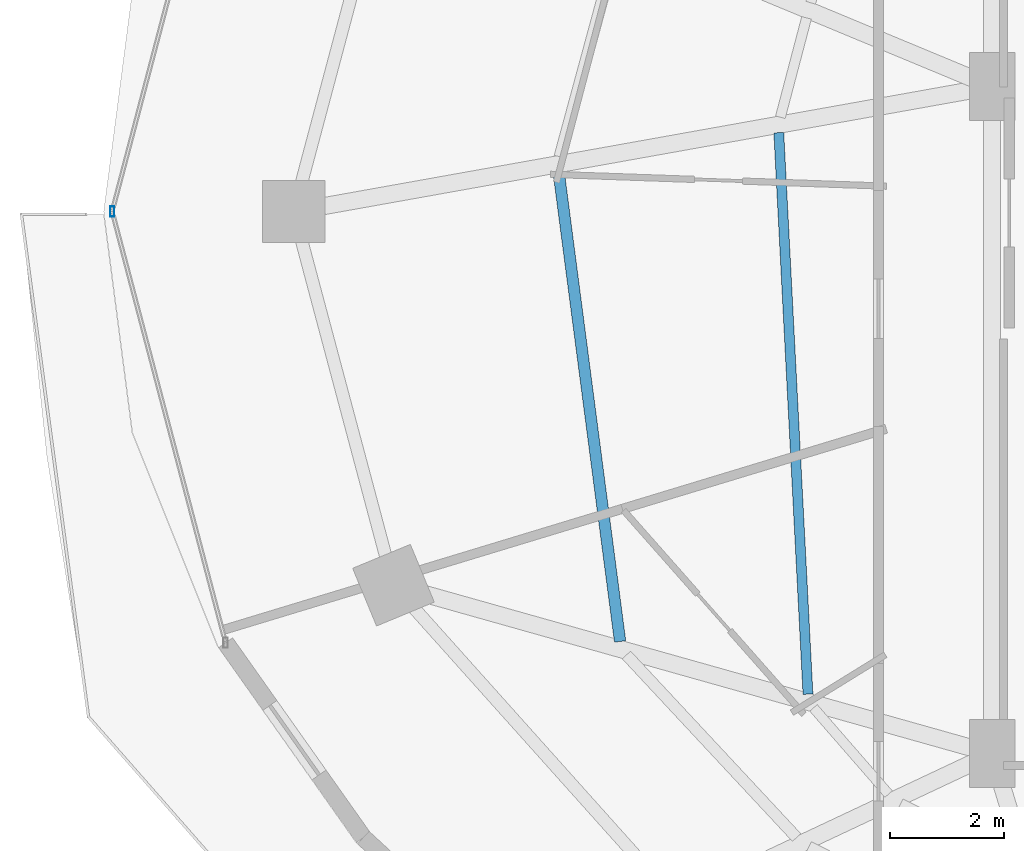
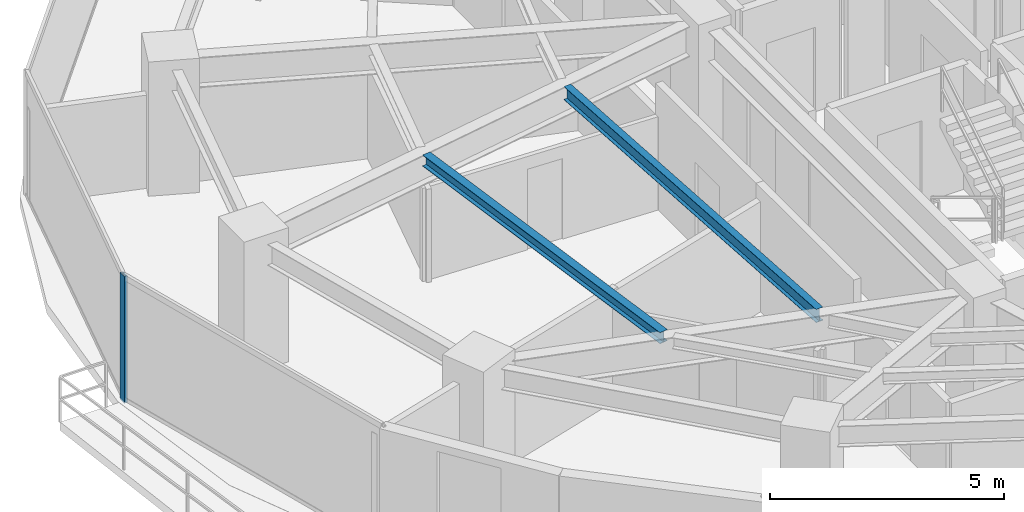
# One storey, part 7 of 29: 2 beams, 1 member, 1 element without a shape of its own.
"""IFC4 building model written with IfcOpenShell, lengths in metres."""

from ifc_helpers import new_model, si_unit, direction, frame, origin, origin_2d, place, context, subcontext, project, spatial, hollow_rectangle, i_section, extrude, material, material_profile, profile_set, type_object, element, aggregate, save


model = new_model("IFC4")

# Units and contexts
model_context = context("Model", 3, precision=1e-05, world=origin(), true_north=direction((0.0, 1.0)))
body_context = subcontext(model_context, "Body", "Model", "MODEL_VIEW")
ifc_project = project(units=[si_unit("LENGTHUNIT", "METRE"), si_unit("AREAUNIT", "SQUARE_METRE"), si_unit("VOLUMEUNIT", "CUBIC_METRE"), si_unit("PLANEANGLEUNIT", "RADIAN"), si_unit("MASSUNIT", "GRAM", prefix="KILO")], contexts=[model_context])

# Site, building, storey
site_placement = place(None, origin())
site = spatial("IfcSite", under=ifc_project, at=site_placement, CompositionType="ELEMENT")
building_placement = place(site_placement, origin())
building = spatial("IfcBuilding", under=site, at=building_placement, Name="Vorneva Point Tower", CompositionType="ELEMENT")
storey_placement = place(building_placement, frame((0.0, 0.0, 117.300048828125)))
storey = spatial("IfcBuildingStorey", under=building, at=storey_placement, Name="L31", CompositionType="ELEMENT", Elevation=117.300048828125)

# Beams
ifc_material_1 = material(Name="Steel S355", Category="steel")
ifc_material_profile_1 = material_profile(ifc_material_1, i_section(OverallWidth=0.199951171875, OverallDepth=0.291015625, WebThickness=0.008056640625, FlangeThickness=0.010986328125, at=origin_2d()), Name="30Sh1")
ifc_profile_set_1 = profile_set([ifc_material_profile_1], Name="Steel S355")
beam_type_1 = type_object("IfcBeamType", Name="BM-SEC-30Sh1", PredefinedType="BEAM", material=ifc_profile_set_1)
beam_1_placement = place(storey_placement, frame((19.614501953125, 26.694091796875, 3.094482421875), z_axis=(0.129791026269, -0.991541370544, 0.0), x_axis=(0.991541370544, 0.129791026269, 0.0)))
element("IfcBeam", 1, at=beam_1_placement, inside=storey, type_object=beam_type_1, Name="L31 Secondary Floor Beam 1.09", PredefinedType="BEAM", context=body_context, shape_type="SweptSolid", body=[
    extrude(i_section(OverallWidth=0.199951171875, OverallDepth=0.291015625, WebThickness=0.008056640625, FlangeThickness=0.010986328125, at=origin_2d()), origin(), (0.0, 0.0, 1.0), 8.338623046875),
])
ifc_material_profile_2 = material_profile(ifc_material_1, i_section(OverallWidth=0.174072265625, OverallDepth=0.345947265625, WebThickness=0.006103515625, FlangeThickness=0.009033203125, at=origin_2d()), Name="35B1")
ifc_profile_set_2 = profile_set([ifc_material_profile_2], Name="Steel S355")
beam_type_2 = type_object("IfcBeamType", Name="BM-SEC-35B1", PredefinedType="BEAM", material=ifc_profile_set_2)
beam_2_placement = place(storey_placement, frame((23.49169921875, 27.388671875, 3.06689453125), z_axis=(0.051893745783, -0.998652611847, 0.0), x_axis=(0.998652611847, 0.051893745783, 0.0)))
element("IfcBeam", 2, at=beam_2_placement, inside=storey, type_object=beam_type_2, Name="L31 Secondary Floor Beam 2.09", PredefinedType="BEAM", context=body_context, shape_type="SweptSolid", body=[
    extrude(i_section(OverallWidth=0.174072265625, OverallDepth=0.345947265625, WebThickness=0.006103515625, FlangeThickness=0.009033203125, at=origin_2d()), origin(), (0.0, 0.0, 1.0), 9.9033203125),
])

# Curtain wall, member
ifc_material_2 = material(Name="Pale anodised aluminium", Category="aluminium")
curtain_wall_type = type_object("IfcCurtainWallType", Name="CW-HTL-SYS", PredefinedType="NOTDEFINED", material=ifc_material_2)
curtain_wall_placement = place(storey_placement, origin())
curtain_wall = element("IfcCurtainWall", 3, at=curtain_wall_placement, inside=storey, type_object=curtain_wall_type, Name="L31 Unitised Curtain Wall CW-L31-R02", PredefinedType="NOTDEFINED")
ifc_material_profile_3 = material_profile(ifc_material_2, hollow_rectangle(XDim=0.074951171875, YDim=0.179931640625, WallThickness=0.00390625, at=origin_2d()), Name="AL-MUL 180x75x4")
ifc_profile_set_3 = profile_set([ifc_material_profile_3], Name="Pale anodised aluminium")
member_type = type_object("IfcMemberType", Name="CW-MUL-180", PredefinedType="MULLION", material=ifc_profile_set_3)
member_placement = place(storey_placement, frame((11.75, 26.0, -0.0400390625), z_axis=(0.0, 0.0, 1.0), x_axis=(1.0, 0.0, 0.0)))
member = element("IfcMember", 4, at=member_placement, type_object=member_type, Name="CW-L31-R02 Mullion 03", PredefinedType="MULLION", context=body_context, shape_type="SweptSolid", body=[
    extrude(hollow_rectangle(XDim=0.074951171875, YDim=0.179931640625, WallThickness=0.00390625, at=origin_2d()), origin(), (0.0, 0.0, 1.0), 3.31005859375),
])
aggregate(curtain_wall, [member])

save(model, "model.ifc")
